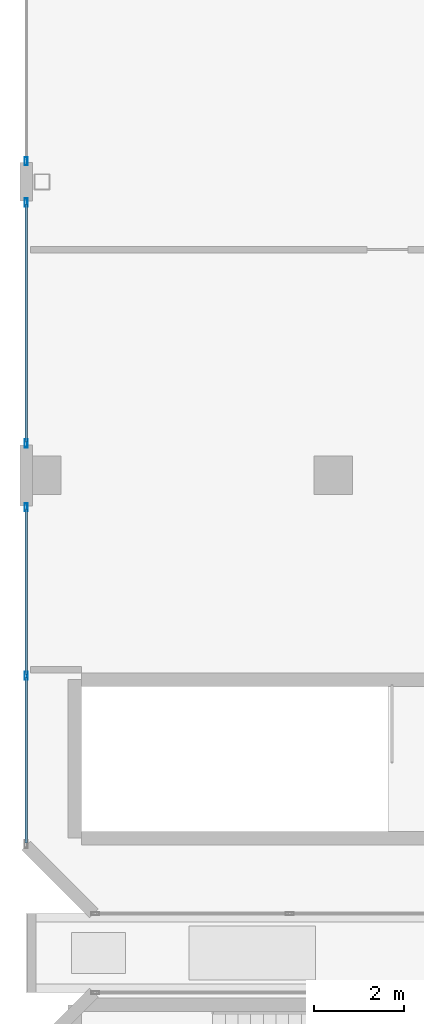
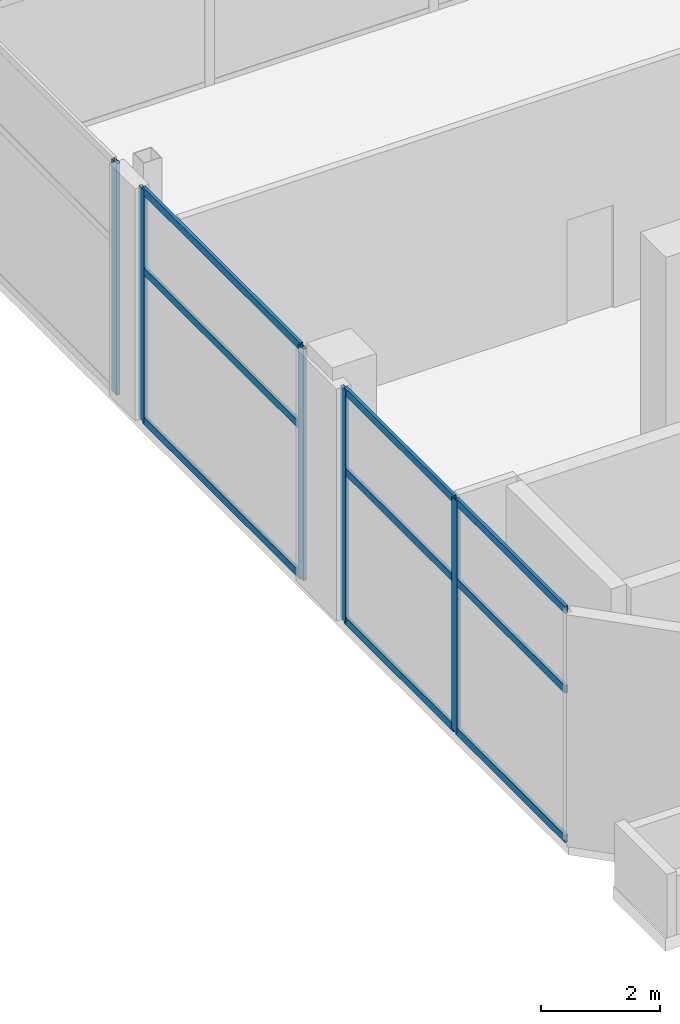
# One storey, part 10 of 18: 14 members, 3 elements without a shape of their own.
"""IFC4 building model written with IfcOpenShell, lengths in metres."""

import ifcopenshell
import ifcopenshell.guid

model = None  # the IFC model being written
_history = None  # IfcOwnerHistory: only IFC2X3 demands one
_inside = {}  # id of a spatial element -> (the spatial element, [elements in it])
_under = {}  # id of a project, library or spatial element -> (it, [spatial elements below it])
_declared = {}  # id of a project -> (the project, [libraries it declares])
_typed = {}  # id of a type object -> (the type object, [elements of that type])
_made_of = {}  # id of a material, layer set ... -> (it, [elements and type objects made of it])


def new_model(schema):
    """Start an empty IFC model of exactly this schema.

    Asked for "IFC4X3", IfcOpenShell would pick the latest addendum, in which some entities
    have other attributes; the version numbers below select the first issue.
    IFC2X3 requires an IfcOwnerHistory on every rooted entity: one is made here for all.
    """
    global model, _history
    if schema == "IFC4X3":
        model = ifcopenshell.file(schema_version=(4, 3, 0, 0))
    else:
        model = ifcopenshell.file(schema=schema)
    _inside.clear()
    _under.clear()
    _declared.clear()
    _typed.clear()
    _made_of.clear()
    _history = None
    if model.schema == "IFC2X3":
        org = make("IfcOrganization", Name="unknown")
        user = make(
            "IfcPersonAndOrganization",
            ThePerson=make("IfcPerson", FamilyName="unknown"),
            TheOrganization=org,
        )
        app = make(
            "IfcApplication",
            ApplicationDeveloper=org,
            Version="unknown",
            ApplicationFullName="unknown",
            ApplicationIdentifier="unknown",
        )
        _history = make(
            "IfcOwnerHistory",
            OwningUser=user,
            OwningApplication=app,
            ChangeAction="ADDED",
            CreationDate=0,
        )
    return model


def make(cls, **values):
    """One entity of the class cls with the attributes given. An attribute that is None is left unset."""
    return model.create_entity(
        cls, **{name: value for name, value in values.items() if value is not None}
    )


def rooted(cls, **values):
    """An entity with a GlobalId (a new one), such as an element, a storey or a relation."""
    return make(cls, GlobalId=ifcopenshell.guid.new(), OwnerHistory=_history, **values)


def si_unit(unit_type, name, prefix=None):
    """IfcSIUnit, for example si_unit("LENGTHUNIT", "METRE", prefix="MILLI")."""
    return make("IfcSIUnit", UnitType=unit_type, Prefix=prefix, Name=name)


def assignment(units):
    """IfcUnitAssignment: the units of a project."""
    return None if units is None else make("IfcUnitAssignment", Units=units)


def point(xyz):
    """IfcCartesianPoint."""
    return None if xyz is None else make("IfcCartesianPoint", Coordinates=xyz)


def direction(xyz):
    """IfcDirection."""
    return None if xyz is None else make("IfcDirection", DirectionRatios=xyz)


def frame(location, z_axis=None, x_axis=None):
    """IfcAxis2Placement3D, a coordinate frame: its origin and axes. An axis left out is left unset."""
    return make(
        "IfcAxis2Placement3D",
        Location=point(location),
        Axis=direction(z_axis),
        RefDirection=direction(x_axis),
    )


def frame_2d(location, x_axis=None):
    """IfcAxis2Placement2D, a coordinate frame in the plane: its origin and x axis."""
    return make(
        "IfcAxis2Placement2D", Location=point(location), RefDirection=direction(x_axis)
    )


def origin():
    """The frame at (0, 0, 0) with its axes left unset."""
    return frame((0.0, 0.0, 0.0))


def origin_2d():
    """The frame at (0, 0) in the plane with its x axis left unset."""
    return frame_2d((0.0, 0.0))


def place(relative_to, where):
    """IfcLocalPlacement: puts the frame where relative to a parent placement (None: the world)."""
    return make(
        "IfcLocalPlacement", PlacementRelTo=relative_to, RelativePlacement=where
    )


def context(
    kind, dimensions, precision=None, world=None, true_north=None, identifier=None
):
    """IfcGeometricRepresentationContext, for example the 3D "Model" context."""
    return make(
        "IfcGeometricRepresentationContext",
        ContextIdentifier=identifier,
        ContextType=kind,
        CoordinateSpaceDimension=dimensions,
        Precision=precision,
        WorldCoordinateSystem=world,
        TrueNorth=true_north,
    )


def subcontext(parent, identifier, kind, view, scale=None):
    """IfcGeometricRepresentationSubContext, for example "Body" below "Model"."""
    return make(
        "IfcGeometricRepresentationSubContext",
        ContextIdentifier=identifier,
        ContextType=kind,
        ParentContext=parent,
        TargetScale=scale,
        TargetView=view,
    )


def project(units=None, contexts=None):
    """IfcProject with its units and contexts."""
    return rooted(
        "IfcProject",
        Name="project",
        RepresentationContexts=contexts,
        UnitsInContext=assignment(units),
    )


def spatial(cls, under=None, at=None, **own):
    """A site, building, storey or space (cls), placed at a placement, below another one or the project."""
    s = rooted(cls, ObjectPlacement=at, **own)
    if under is not None:
        _under.setdefault(under.id(), (under, []))[1].append(s)
    return s


def profile(cls, at=None, kind="AREA", **sizes):
    """A parametric profile (cls). Its sizes go by their IFC names, for example OverallWidth=200.0."""
    return make(cls, ProfileType=kind, Position=at, **sizes)


def hollow_rectangle(**sizes):
    """IfcRectangleHollowProfileDef."""
    return profile("IfcRectangleHollowProfileDef", **sizes)


def extrude(swept, where, along, depth):
    """IfcExtrudedAreaSolid: the profile swept, set in the frame where, extruded along a direction by depth."""
    return make(
        "IfcExtrudedAreaSolid",
        SweptArea=swept,
        Position=where,
        ExtrudedDirection=direction(along),
        Depth=depth,
    )


def shape(context_of_items, identifier, shape_type, items):
    """IfcShapeRepresentation: the items that make up one representation, for example the "Body"."""
    return make(
        "IfcShapeRepresentation",
        ContextOfItems=context_of_items,
        RepresentationIdentifier=identifier,
        RepresentationType=shape_type,
        Items=items,
    )


def material(Name=None, Category=None):
    """IfcMaterial."""
    return make("IfcMaterial", Name=Name, Category=Category)


def layer(
    of_material, thickness, ventilated=None, Name=None, Category=None, Priority=None
):
    """IfcMaterialLayer: one layer of a wall or slab, of a material (None: an air gap)."""
    return make(
        "IfcMaterialLayer",
        Material=of_material,
        LayerThickness=thickness,
        IsVentilated=ventilated,
        Name=Name,
        Category=Category,
        Priority=Priority,
    )


def layer_set(layers, Name=None):
    """IfcMaterialLayerSet."""
    return make("IfcMaterialLayerSet", MaterialLayers=layers, LayerSetName=Name)


def material_profile(
    of_material, cross_section, Name=None, Category=None, Priority=None
):
    """IfcMaterialProfile: a cross section and its material."""
    return make(
        "IfcMaterialProfile",
        Name=Name,
        Material=of_material,
        Profile=cross_section,
        Priority=Priority,
        Category=Category,
    )


def profile_set(profiles, Name=None, composite=None):
    """IfcMaterialProfileSet."""
    return make(
        "IfcMaterialProfileSet",
        Name=Name,
        MaterialProfiles=profiles,
        CompositeProfile=composite,
    )


def made_of(thing, what):
    """Note that an element or type object is made of a material, layer set ...; save() writes the relation."""
    if what is not None:
        _made_of.setdefault(what.id(), (what, []))[1].append(thing)
    return thing


def type_object(cls, material=None, **own):
    """A type object (cls), such as IfcWallType, which elements share."""
    return made_of(rooted(cls, **own), material)


def element(
    cls,
    number,
    at=None,
    inside=None,
    cuts=None,
    type_object=None,
    material=None,
    context=None,
    identifier="Body",
    shape_type=None,
    held_by="IfcProductDefinitionShape",
    body=None,
    shapes=None,
    **own,
):
    """One element of the class cls, such as IfcWall. Its Tag is "e" and its number.

    at: its placement. inside: the storey or other place that contains it. cuts: it is an
    opening in that element (IfcRelVoidsElement). A single representation is given by context,
    identifier, shape_type and body (its items); several are given by shapes. held_by: the class
    of the entity that holds the representations. save() writes the other relations.
    """
    e = rooted(cls, Tag="e%d" % number, ObjectPlacement=at, **own)
    if body is not None:
        shapes = [shape(context, identifier, shape_type, body)]
    if shapes is not None:
        e.Representation = make(held_by, Representations=shapes)
    if inside is not None:
        _inside.setdefault(inside.id(), (inside, []))[1].append(e)
    if cuts is not None:
        rooted(
            "IfcRelVoidsElement", RelatingBuildingElement=cuts, RelatedOpeningElement=e
        )
    if type_object is not None:
        _typed.setdefault(type_object.id(), (type_object, []))[1].append(e)
    return made_of(e, material)


def aggregate(whole, parts):
    """IfcRelAggregates: a whole, such as a stair, and the parts it consists of."""
    return rooted("IfcRelAggregates", RelatingObject=whole, RelatedObjects=parts)


def save(model, path):
    """Write the relations noted so far, then the file.

    IfcRelAggregates (storeys below a building ...), IfcRelContainedInSpatialStructure (elements
    in a storey), IfcRelDefinesByType, IfcRelAssociatesMaterial and IfcRelDeclares: one each for
    every whole, place, type object, material and project.
    """
    for whole, parts in _under.values():
        aggregate(whole, parts)
    for where, things in _inside.values():
        rooted(
            "IfcRelContainedInSpatialStructure",
            RelatedElements=things,
            RelatingStructure=where,
        )
    for kind, things in _typed.values():
        rooted("IfcRelDefinesByType", RelatedObjects=things, RelatingType=kind)
    for what, things in _made_of.values():
        rooted("IfcRelAssociatesMaterial", RelatedObjects=things, RelatingMaterial=what)
    for by, libraries in _declared.values():
        rooted("IfcRelDeclares", RelatingContext=by, RelatedDefinitions=libraries)
    model.write(path)


model = new_model("IFC4")

# Units and contexts
model_context = context("Model", 3, precision=1e-05, world=origin(), true_north=direction((0.0, 1.0)))
body_context = subcontext(model_context, "Body", "Model", "MODEL_VIEW")
ifc_project = project(units=[si_unit("LENGTHUNIT", "METRE"), si_unit("AREAUNIT", "SQUARE_METRE"), si_unit("VOLUMEUNIT", "CUBIC_METRE"), si_unit("PLANEANGLEUNIT", "RADIAN"), si_unit("MASSUNIT", "GRAM", prefix="KILO")], contexts=[model_context])

# Site, building, storey
site_placement = place(None, origin())
site = spatial("IfcSite", under=ifc_project, at=site_placement, CompositionType="ELEMENT")
building_placement = place(site_placement, origin())
building = spatial("IfcBuilding", under=site, at=building_placement, Name="Mawjaban Terraces University", CompositionType="ELEMENT")
storey_placement = place(building_placement, frame((0.0, 0.0, 316.699951171875)))
storey = spatial("IfcBuildingStorey", under=building, at=storey_placement, Name="L77", CompositionType="ELEMENT", Elevation=316.699951171875)

# Curtain wall, member
ifc_material_1 = material(Name="Anodised aluminium 6063-T6 and solar-control low-E glass", Category="aluminium")
ifc_layer = layer(ifc_material_1, 0.199951171875)
ifc_layer_set = layer_set([ifc_layer], Name="Anodised aluminium 6063-T6 and solar-control low-E glass")
curtain_wall_type = type_object("IfcCurtainWallType", Name="CWSystem_06_ObservationCrown", PredefinedType="NOTDEFINED", material=ifc_layer_set)
curtain_wall_1_placement = place(storey_placement, origin())
curtain_wall_1 = element("IfcCurtainWall", 1, at=curtain_wall_1_placement, inside=storey, type_object=curtain_wall_type, Name="L77 Curtain Wall CW-06 Run 7.1", PredefinedType="NOTDEFINED")
ifc_material_2 = material(Name="Anodised aluminium 6063-T6", Category="aluminium")
ifc_material_profile_1 = material_profile(ifc_material_2, hollow_rectangle(XDim=0.06494140625, YDim=0.179931640625, WallThickness=0.00390625, at=origin_2d()), Name="ALU180X65X4")
ifc_profile_set_1 = profile_set([ifc_material_profile_1], Name="Anodised aluminium 6063-T6")
member_type_1 = type_object("IfcMemberType", Name="Mullion_CW-06", PredefinedType="MULLION", material=ifc_profile_set_1)
member_1_placement = place(storey_placement, frame((22.0, 30.45751953125, 0.0), z_axis=(0.0, 0.0, 1.0), x_axis=(1.0, 0.0, 0.0)))
member_1 = element("IfcMember", 2, at=member_1_placement, type_object=member_type_1, Name="CW-06 mullion 2", PredefinedType="MULLION", context=body_context, shape_type="SweptSolid", body=[
    extrude(hollow_rectangle(XDim=0.06494140625, YDim=0.179931640625, WallThickness=0.00390625, at=origin_2d()), origin(), (0.0, 0.0, 1.0), 4.739990234375),
])
aggregate(curtain_wall_1, [member_1])

# Curtain wall, members
curtain_wall_2_placement = place(storey_placement, origin())
curtain_wall_2 = element("IfcCurtainWall", 3, at=curtain_wall_2_placement, inside=storey, type_object=curtain_wall_type, Name="L77 Curtain Wall CW-06 Run 7.2", PredefinedType="NOTDEFINED")
member_2_placement = place(storey_placement, frame((22.0, 29.54248046875, 0.0), z_axis=(0.0, 0.0, 1.0), x_axis=(1.0, 0.0, 0.0)))
member_2 = element("IfcMember", 4, at=member_2_placement, type_object=member_type_1, Name="CW-06 mullion 1", PredefinedType="MULLION", context=body_context, shape_type="SweptSolid", body=[
    extrude(hollow_rectangle(XDim=0.06494140625, YDim=0.179931640625, WallThickness=0.00390625, at=origin_2d()), origin(), (0.0, 0.0, 1.0), 4.739990234375),
])
member_3_placement = place(storey_placement, frame((22.0, 24.20751953125, 0.0), z_axis=(0.0, 0.0, 1.0), x_axis=(1.0, 0.0, 0.0)))
member_3 = element("IfcMember", 5, at=member_3_placement, type_object=member_type_1, Name="CW-06 mullion 2", PredefinedType="MULLION", context=body_context, shape_type="SweptSolid", body=[
    extrude(hollow_rectangle(XDim=0.06494140625, YDim=0.179931640625, WallThickness=0.00390625, at=origin_2d()), origin(), (0.0, 0.0, 1.0), 4.739990234375),
])

curtain_wall_3_placement = place(storey_placement, origin())
curtain_wall_3 = element("IfcCurtainWall", 6, at=curtain_wall_3_placement, inside=storey, type_object=curtain_wall_type, Name="L77 Curtain Wall CW-06 Run 7.3", PredefinedType="NOTDEFINED")
member_4_placement = place(storey_placement, frame((22.0, 22.79248046875, 0.0), z_axis=(0.0, 0.0, 1.0), x_axis=(1.0, 0.0, 0.0)))
member_4 = element("IfcMember", 7, at=member_4_placement, type_object=member_type_1, Name="CW-06 mullion 1", PredefinedType="MULLION", context=body_context, shape_type="SweptSolid", body=[
    extrude(hollow_rectangle(XDim=0.06494140625, YDim=0.179931640625, WallThickness=0.00390625, at=origin_2d()), origin(), (0.0, 0.0, 1.0), 4.739990234375),
])
member_5_placement = place(storey_placement, frame((22.0, 19.0625, 0.0), z_axis=(0.0, 0.0, 1.0), x_axis=(1.0, 0.0, 0.0)))
member_5 = element("IfcMember", 8, at=member_5_placement, type_object=member_type_1, Name="CW-06 mullion 2", PredefinedType="MULLION", context=body_context, shape_type="SweptSolid", body=[
    extrude(hollow_rectangle(XDim=0.06494140625, YDim=0.179931640625, WallThickness=0.00390625, at=origin_2d()), origin(), (0.0, 0.0, 1.0), 4.739990234375),
])

# Member
ifc_material_profile_2 = material_profile(ifc_material_2, hollow_rectangle(XDim=0.06005859375, YDim=0.14990234375, WallThickness=0.00390625, at=origin_2d()), Name="ALU150X60X4")
ifc_profile_set_2 = profile_set([ifc_material_profile_2], Name="Anodised aluminium 6063-T6")
member_type_2 = type_object("IfcMemberType", Name="Transom_CW-06", PredefinedType="NOTDEFINED", material=ifc_profile_set_2)
member_6_placement = place(storey_placement, frame((22.0, 29.510009765625, 0.030029296875), z_axis=(0.0, -1.0, 0.0), x_axis=(1.0, 0.0, 0.0)))
member_6 = element("IfcMember", 9, at=member_6_placement, type_object=member_type_2, Name="CW-06 transom 1.1", ObjectType="TRANSOM", PredefinedType="USERDEFINED", context=body_context, shape_type="SweptSolid", body=[
    extrude(hollow_rectangle(XDim=0.06005859375, YDim=0.14990234375, WallThickness=0.00390625, at=origin_2d()), origin(), (0.0, 0.0, 1.0), 5.27001953125),
])

member_7_placement = place(storey_placement, frame((22.0, 29.510009765625, 3.0810546875), z_axis=(0.0, -1.0, 0.0), x_axis=(1.0, 0.0, 0.0)))
member_7 = element("IfcMember", 10, at=member_7_placement, type_object=member_type_2, Name="CW-06 transom 1.2", ObjectType="TRANSOM", PredefinedType="USERDEFINED", context=body_context, shape_type="SweptSolid", body=[
    extrude(hollow_rectangle(XDim=0.06005859375, YDim=0.14990234375, WallThickness=0.00390625, at=origin_2d()), origin(), (0.0, 0.0, 1.0), 5.27001953125),
])

member_8_placement = place(storey_placement, frame((22.0, 29.510009765625, 4.7099609375), z_axis=(0.0, -1.0, 0.0), x_axis=(1.0, 0.0, 0.0)))
member_8 = element("IfcMember", 11, at=member_8_placement, type_object=member_type_2, Name="CW-06 transom 1.3", ObjectType="TRANSOM", PredefinedType="USERDEFINED", context=body_context, shape_type="SweptSolid", body=[
    extrude(hollow_rectangle(XDim=0.06005859375, YDim=0.14990234375, WallThickness=0.00390625, at=origin_2d()), origin(), (0.0, 0.0, 1.0), 5.27001953125),
])

aggregate(curtain_wall_2, [member_2, member_3, member_6, member_7, member_8])

member_9_placement = place(storey_placement, frame((22.0, 22.760009765625, 0.030029296875), z_axis=(0.0, -1.0, 0.0), x_axis=(1.0, 0.0, 0.0)))
member_9 = element("IfcMember", 12, at=member_9_placement, type_object=member_type_2, Name="CW-06 transom 1.1", ObjectType="TRANSOM", PredefinedType="USERDEFINED", context=body_context, shape_type="SweptSolid", body=[
    extrude(hollow_rectangle(XDim=0.06005859375, YDim=0.14990234375, WallThickness=0.00390625, at=origin_2d()), origin(), (0.0, 0.0, 1.0), 3.6650390625),
])

member_10_placement = place(storey_placement, frame((22.0, 22.760009765625, 3.0810546875), z_axis=(0.0, -1.0, 0.0), x_axis=(1.0, 0.0, 0.0)))
member_10 = element("IfcMember", 13, at=member_10_placement, type_object=member_type_2, Name="CW-06 transom 1.2", ObjectType="TRANSOM", PredefinedType="USERDEFINED", context=body_context, shape_type="SweptSolid", body=[
    extrude(hollow_rectangle(XDim=0.06005859375, YDim=0.14990234375, WallThickness=0.00390625, at=origin_2d()), origin(), (0.0, 0.0, 1.0), 3.6650390625),
])

member_11_placement = place(storey_placement, frame((22.0, 22.760009765625, 4.7099609375), z_axis=(0.0, -1.0, 0.0), x_axis=(1.0, 0.0, 0.0)))
member_11 = element("IfcMember", 14, at=member_11_placement, type_object=member_type_2, Name="CW-06 transom 1.3", ObjectType="TRANSOM", PredefinedType="USERDEFINED", context=body_context, shape_type="SweptSolid", body=[
    extrude(hollow_rectangle(XDim=0.06005859375, YDim=0.14990234375, WallThickness=0.00390625, at=origin_2d()), origin(), (0.0, 0.0, 1.0), 3.6650390625),
])

member_12_placement = place(storey_placement, frame((22.0, 19.030029296875, 0.030029296875), z_axis=(0.0, -1.0, 0.0), x_axis=(1.0, 0.0, 0.0)))
member_12 = element("IfcMember", 15, at=member_12_placement, type_object=member_type_2, Name="CW-06 transom 2.1", ObjectType="TRANSOM", PredefinedType="USERDEFINED", context=body_context, shape_type="SweptSolid", body=[
    extrude(hollow_rectangle(XDim=0.06005859375, YDim=0.14990234375, WallThickness=0.00390625, at=origin_2d()), origin(), (0.0, 0.0, 1.0), 3.6650390625),
])

member_13_placement = place(storey_placement, frame((22.0, 19.030029296875, 3.0810546875), z_axis=(0.0, -1.0, 0.0), x_axis=(1.0, 0.0, 0.0)))
member_13 = element("IfcMember", 16, at=member_13_placement, type_object=member_type_2, Name="CW-06 transom 2.2", ObjectType="TRANSOM", PredefinedType="USERDEFINED", context=body_context, shape_type="SweptSolid", body=[
    extrude(hollow_rectangle(XDim=0.06005859375, YDim=0.14990234375, WallThickness=0.00390625, at=origin_2d()), origin(), (0.0, 0.0, 1.0), 3.6650390625),
])

member_14_placement = place(storey_placement, frame((22.0, 19.030029296875, 4.7099609375), z_axis=(0.0, -1.0, 0.0), x_axis=(1.0, 0.0, 0.0)))
member_14 = element("IfcMember", 17, at=member_14_placement, type_object=member_type_2, Name="CW-06 transom 2.3", ObjectType="TRANSOM", PredefinedType="USERDEFINED", context=body_context, shape_type="SweptSolid", body=[
    extrude(hollow_rectangle(XDim=0.06005859375, YDim=0.14990234375, WallThickness=0.00390625, at=origin_2d()), origin(), (0.0, 0.0, 1.0), 3.6650390625),
])

aggregate(curtain_wall_3, [member_4, member_5, member_9, member_10, member_11, member_12, member_13, member_14])

save(model, "model.ifc")
